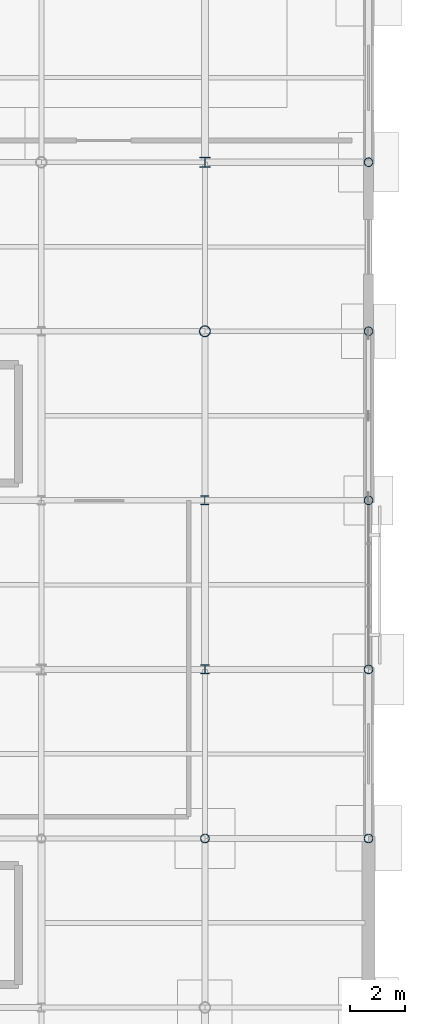
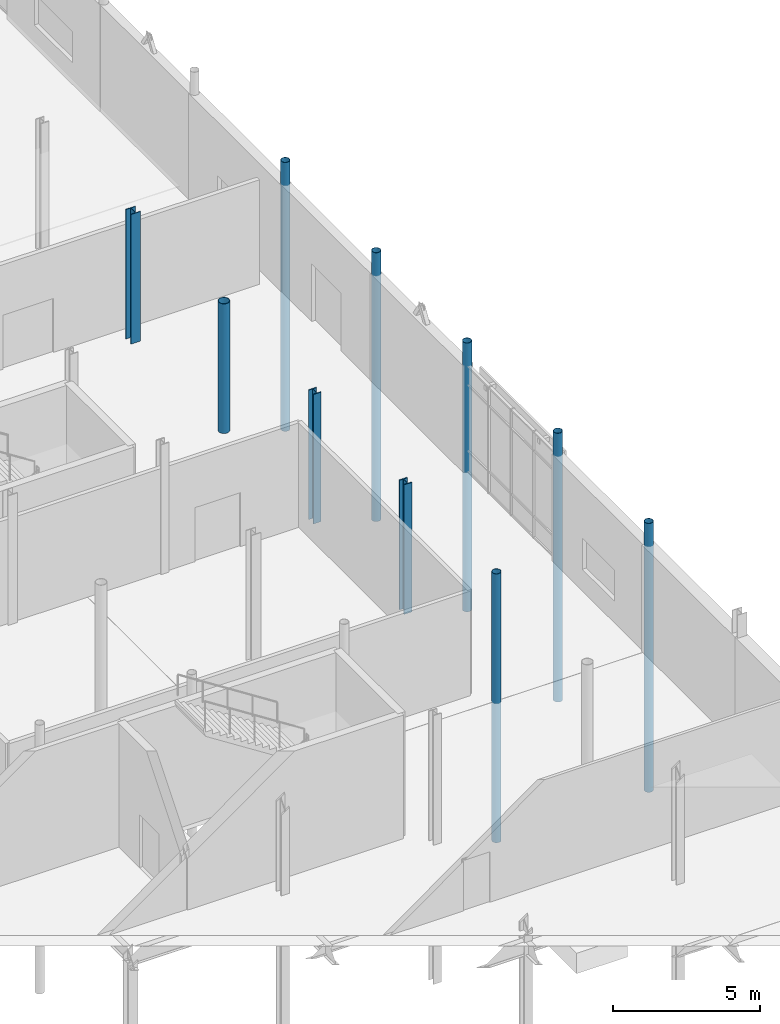
# One storey, part 24 of 98: 10 columns.
"""IFC4 building model written with IfcOpenShell, lengths in metres."""

from ifc_helpers import new_model, si_unit, direction, frame, origin, origin_2d, place, context, subcontext, project, spatial, hollow_circle, i_section, extrude, material, material_profile, profile_set, type_object, element, save


model = new_model("IFC4")

# Units and contexts
model_context = context("Model", 3, precision=1e-05, world=origin(), true_north=direction((0.0, 1.0)))
body_context = subcontext(model_context, "Body", "Model", "MODEL_VIEW")
ifc_project = project(units=[si_unit("LENGTHUNIT", "METRE"), si_unit("AREAUNIT", "SQUARE_METRE"), si_unit("VOLUMEUNIT", "CUBIC_METRE"), si_unit("PLANEANGLEUNIT", "RADIAN"), si_unit("MASSUNIT", "GRAM", prefix="KILO")], contexts=[model_context])

# Site, building, storey
site_placement = place(None, origin())
site = spatial("IfcSite", under=ifc_project, at=site_placement, CompositionType="ELEMENT")
building_placement = place(site_placement, origin())
building = spatial("IfcBuilding", under=site, at=building_placement, Name="Mirzam Square Science Centre", CompositionType="ELEMENT")
storey_placement = place(building_placement, origin())
storey = spatial("IfcBuildingStorey", under=building, at=storey_placement, Name="L00", CompositionType="ELEMENT", Elevation=0.0)

# Columns
ifc_material = material(Name="Steel S355", Category="steel")
ifc_material_profile_1 = material_profile(ifc_material, hollow_circle(Radius=0.161865234375, WallThickness=0.012451171875, at=origin_2d()), Name="323.9x12.5CHS")
ifc_profile_set_1 = profile_set([ifc_material_profile_1], Name="Steel S355")
column_type_1 = type_object("IfcColumnType", Name="COL-CHS324", PredefinedType="COLUMN", material=ifc_profile_set_1)
for number, where, z_axis, x_axis, name in (
    (1, (156.0, 37.199951171875, -5.800048828125), (0.0, 0.0, 1.0), (1.0, 0.0, 0.0), "L00 column G27-07"),
    (2, (162.0, 37.199951171875, -5.800048828125), (0.0, 0.0, 1.0), (1.0, 0.0, 0.0), "L00 column G28-07"),
    (3, (162.0, 43.39990234375, -5.800048828125), (0.0, 0.0, 1.0), (1.0, 0.0, 0.0), "L00 column G28-08"),
    (4, (162.0, 49.60009765625, -5.800048828125), (0.0, 0.0, 1.0), (1.0, 0.0, 0.0), "L00 column G28-09"),
    (5, (162.0, 55.800048828125, -5.800048828125), (0.0, 0.0, 1.0), (1.0, 0.0, 0.0), "L00 column G28-10"),
    (6, (162.0, 62.0, -5.800048828125), (0.0, 0.0, 1.0), (1.0, 0.0, 0.0), "L00 column G28-11"),
):
    element("IfcColumn", number, at=place(storey_placement, frame(where, z_axis=z_axis, x_axis=x_axis)), inside=storey, type_object=column_type_1, Name=name, PredefinedType="COLUMN", context=body_context, shape_type="SweptSolid", body=[
        extrude(hollow_circle(Radius=0.161865234375, WallThickness=0.012451171875, at=origin_2d()), origin(), (0.0, 0.0, 1.0), 11.199951171875),
    ])
ifc_material_profile_2 = material_profile(ifc_material, hollow_circle(Radius=0.203125, WallThickness=0.01611328125, at=origin_2d()), Name="406.4x16.0CHS")
ifc_profile_set_2 = profile_set([ifc_material_profile_2], Name="Steel S355")
column_type_2 = type_object("IfcColumnType", Name="COL-CHS406", PredefinedType="COLUMN", material=ifc_profile_set_2)
column_1_placement = place(storey_placement, frame((156.0, 55.800048828125, 0.0), z_axis=(0.0, 0.0, 1.0), x_axis=(1.0, 0.0, 0.0)))
element("IfcColumn", 7, at=column_1_placement, inside=storey, type_object=column_type_2, Name="L00 column G27-10", PredefinedType="COLUMN", context=body_context, shape_type="SweptSolid", body=[
    extrude(hollow_circle(Radius=0.203125, WallThickness=0.01611328125, at=origin_2d()), origin(), (0.0, 0.0, 1.0), 5.39990234375),
])
ifc_material_profile_3 = material_profile(ifc_material, i_section(OverallWidth=0.314453125, OverallDepth=0.33984375, WebThickness=0.01904296875, FlangeThickness=0.031494140625, FilletRadius=0.01513671875, at=origin_2d()), Name="305x305x198UC")
ifc_profile_set_3 = profile_set([ifc_material_profile_3], Name="Steel S355")
column_type_3 = type_object("IfcColumnType", Name="COL-UC305B", PredefinedType="COLUMN", material=ifc_profile_set_3)
column_2_placement = place(storey_placement, frame((156.0, 49.60009765625, 0.0), z_axis=(0.0, 0.0, 1.0), x_axis=(1.0, 0.0, 0.0)))
element("IfcColumn", 8, at=column_2_placement, inside=storey, type_object=column_type_3, Name="L00 column G27-09", PredefinedType="COLUMN", context=body_context, shape_type="SweptSolid", body=[
    extrude(i_section(OverallWidth=0.314453125, OverallDepth=0.33984375, WebThickness=0.01904296875, FlangeThickness=0.031494140625, FilletRadius=0.01513671875, at=origin_2d()), origin(), (0.0, 0.0, 1.0), 5.39990234375),
])
ifc_material_profile_4 = material_profile(ifc_material, i_section(OverallWidth=0.318359375, OverallDepth=0.3525390625, WebThickness=0.02294921875, FlangeThickness=0.03759765625, FilletRadius=0.01513671875, at=origin_2d()), Name="305x305x240UC")
ifc_profile_set_4 = profile_set([ifc_material_profile_4], Name="Steel S355")
column_type_4 = type_object("IfcColumnType", Name="COL-UC305C", PredefinedType="COLUMN", material=ifc_profile_set_4)
column_3_placement = place(storey_placement, frame((156.0, 43.39990234375, 0.0), z_axis=(0.0, 0.0, 1.0), x_axis=(1.0, 0.0, 0.0)))
element("IfcColumn", 9, at=column_3_placement, inside=storey, type_object=column_type_4, Name="L00 column G27-08", PredefinedType="COLUMN", context=body_context, shape_type="SweptSolid", body=[
    extrude(i_section(OverallWidth=0.318359375, OverallDepth=0.3525390625, WebThickness=0.02294921875, FlangeThickness=0.03759765625, FilletRadius=0.01513671875, at=origin_2d()), origin(), (0.0, 0.0, 1.0), 5.39990234375),
])
ifc_material_profile_5 = material_profile(ifc_material, i_section(OverallWidth=0.374755859375, OverallDepth=0.37451171875, WebThickness=0.0166015625, FlangeThickness=0.027099609375, FilletRadius=0.01513671875, at=origin_2d()), Name="356x368x202UC")
ifc_profile_set_5 = profile_set([ifc_material_profile_5], Name="Steel S355")
column_type_5 = type_object("IfcColumnType", Name="COL-UC356A", PredefinedType="COLUMN", material=ifc_profile_set_5)
column_4_placement = place(storey_placement, frame((156.0, 62.0, 0.0), z_axis=(0.0, 0.0, 1.0), x_axis=(1.0, 0.0, 0.0)))
element("IfcColumn", 10, at=column_4_placement, inside=storey, type_object=column_type_5, Name="L00 column G27-11", PredefinedType="COLUMN", context=body_context, shape_type="SweptSolid", body=[
    extrude(i_section(OverallWidth=0.374755859375, OverallDepth=0.37451171875, WebThickness=0.0166015625, FlangeThickness=0.027099609375, FilletRadius=0.01513671875, at=origin_2d()), origin(), (0.0, 0.0, 1.0), 5.39990234375),
])

save(model, "model.ifc")
